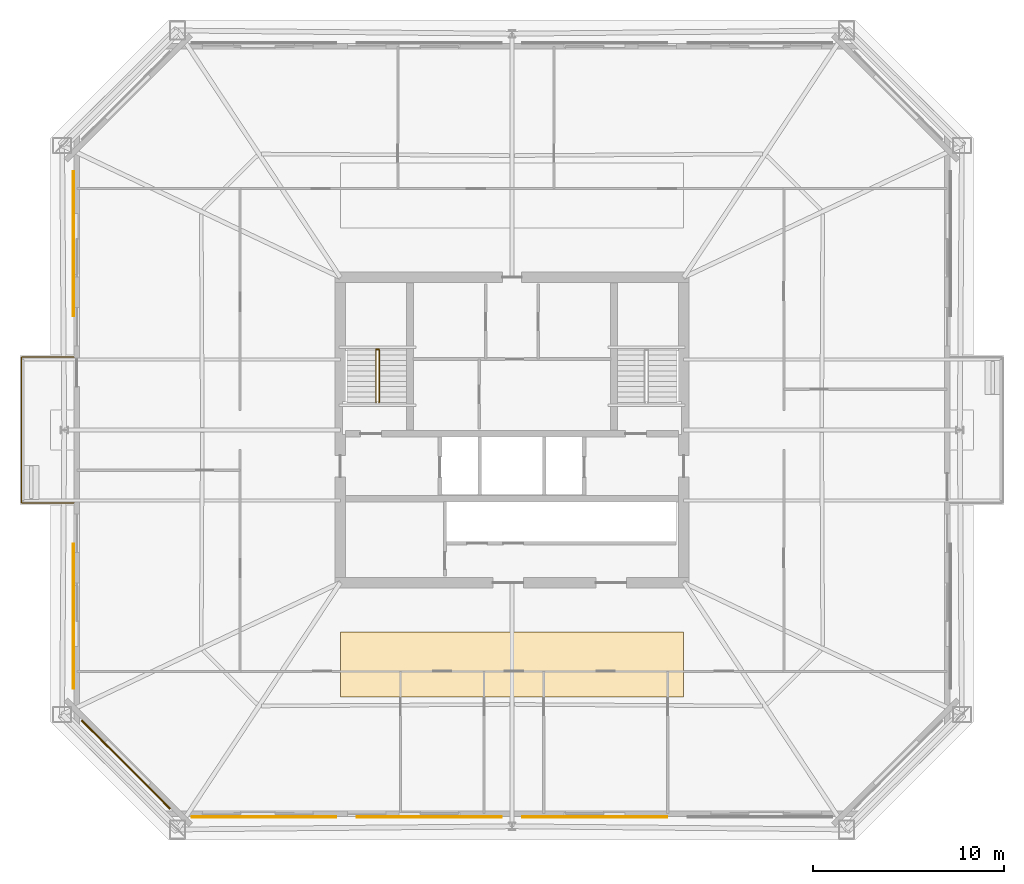
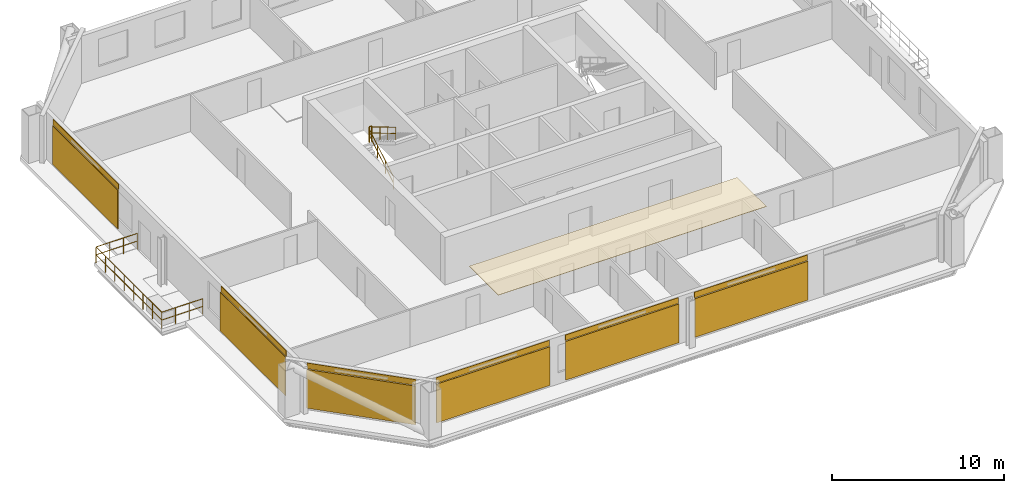
# One storey, part 6 of 8: 7 coverings, 6 shading devices, 4 railings.
"""IFC4 building model written with IfcOpenShell, lengths in metres."""

from ifc_helpers import new_model, si_unit, direction, frame, origin, origin_2d, place, context, subcontext, project, spatial, polyline, rectangle, circle, outline, extrude, material, layer, layer_set, type_object, element, save


model = new_model("IFC4")

# Units and contexts
model_context = context("Model", 3, precision=1e-05, world=origin(), true_north=direction((0.0, 1.0)))
body_context = subcontext(model_context, "Body", "Model", "MODEL_VIEW")
ifc_project = project(units=[si_unit("LENGTHUNIT", "METRE"), si_unit("AREAUNIT", "SQUARE_METRE"), si_unit("VOLUMEUNIT", "CUBIC_METRE"), si_unit("PLANEANGLEUNIT", "RADIAN"), si_unit("MASSUNIT", "GRAM", prefix="KILO")], contexts=[model_context])

# Site, building, storey
site_placement = place(None, origin())
site = spatial("IfcSite", under=ifc_project, at=site_placement, CompositionType="ELEMENT")
building_placement = place(site_placement, origin())
building = spatial("IfcBuilding", under=site, at=building_placement, Name="Caelvoria Tower", CompositionType="ELEMENT")
storey_placement = place(building_placement, frame((0.0, 0.0, 142.0)))
storey = spatial("IfcBuildingStorey", under=building, at=storey_placement, Name="L37", CompositionType="ELEMENT", Elevation=142.0)

# Railing
ifc_material_1 = material(Name="Bronze Anodised Aluminium and Stainless Steel", Category="steel")
railing_type_1 = type_object("IfcRailingType", Name="Exterior Terrace and Balcony Guardrail 1150", PredefinedType="GUARDRAIL", material=ifc_material_1)
railing_1_placement = place(storey_placement, frame((23.0400390625, 28.179931640625, 0.0)))
element("IfcRailing", 1, at=railing_1_placement, inside=storey, type_object=railing_type_1, Name="Tree Balcony Guardrail TB-L37-W", PredefinedType="GUARDRAIL", context=body_context, shape_type="SweptSolid", body=[
    extrude(circle(Radius=0.02392578125, at=origin_2d()), frame((0.0, 0.0, 1.1259765625), z_axis=(-1.0, 0.0, 0.0), x_axis=(0.0, -1.0, 0.0)), (0.0, 0.0, 1.0), 2.760009765625),
    extrude(circle(Radius=0.02392578125, at=origin_2d()), frame((0.0, 0.0, 0.574951171875), z_axis=(-1.0, 0.0, 0.0), x_axis=(0.0, -1.0, 0.0)), (0.0, 0.0, 1.0), 2.760009765625),
    extrude(circle(Radius=0.02392578125, at=origin_2d()), frame((-2.760009765625, 0.0, 1.1259765625), z_axis=(0.0, 1.0, 0.0), x_axis=(-1.0, 0.0, 0.0)), (0.0, 0.0, 1.0), 7.64013671875),
    extrude(circle(Radius=0.02392578125, at=origin_2d()), frame((-2.760009765625, 0.0, 0.574951171875), z_axis=(0.0, 1.0, 0.0), x_axis=(-1.0, 0.0, 0.0)), (0.0, 0.0, 1.0), 7.64013671875),
    extrude(circle(Radius=0.02392578125, at=origin_2d()), frame((-2.760009765625, 7.64013671875, 1.1259765625), z_axis=(1.0, 0.0, 0.0), x_axis=(0.0, 1.0, 0.0)), (0.0, 0.0, 1.0), 2.760009765625),
    extrude(circle(Radius=0.02392578125, at=origin_2d()), frame((-2.760009765625, 7.64013671875, 0.574951171875), z_axis=(1.0, 0.0, 0.0), x_axis=(0.0, 1.0, 0.0)), (0.0, 0.0, 1.0), 2.760009765625),
    extrude(circle(Radius=0.02099609375, at=origin_2d()), origin(), (0.0, 0.0, 1.0), 1.101806640625),
    extrude(circle(Radius=0.02099609375, at=origin_2d()), frame((-0.919921875, 0.0, 0.0)), (0.0, 0.0, 1.0), 1.101806640625),
    extrude(circle(Radius=0.02099609375, at=origin_2d()), frame((-1.840087890625, 0.0, 0.0)), (0.0, 0.0, 1.0), 1.101806640625),
    extrude(circle(Radius=0.02099609375, at=origin_2d()), frame((-2.760009765625, 0.0, 0.0)), (0.0, 0.0, 1.0), 1.101806640625),
    extrude(circle(Radius=0.02099609375, at=origin_2d()), frame((-2.760009765625, 1.091552734375, 0.0)), (0.0, 0.0, 1.0), 1.101806640625),
    extrude(circle(Radius=0.02099609375, at=origin_2d()), frame((-2.760009765625, 2.182861328125, 0.0)), (0.0, 0.0, 1.0), 1.101806640625),
    extrude(circle(Radius=0.02099609375, at=origin_2d()), frame((-2.760009765625, 3.2744140625, 0.0)), (0.0, 0.0, 1.0), 1.101806640625),
    extrude(circle(Radius=0.02099609375, at=origin_2d()), frame((-2.760009765625, 4.36572265625, 0.0)), (0.0, 0.0, 1.0), 1.101806640625),
    extrude(circle(Radius=0.02099609375, at=origin_2d()), frame((-2.760009765625, 5.457275390625, 0.0)), (0.0, 0.0, 1.0), 1.101806640625),
    extrude(circle(Radius=0.02099609375, at=origin_2d()), frame((-2.760009765625, 6.548583984375, 0.0)), (0.0, 0.0, 1.0), 1.101806640625),
    extrude(circle(Radius=0.02099609375, at=origin_2d()), frame((-2.760009765625, 7.64013671875, 0.0)), (0.0, 0.0, 1.0), 1.101806640625),
    extrude(circle(Radius=0.02099609375, at=origin_2d()), frame((-1.840087890625, 7.64013671875, 0.0)), (0.0, 0.0, 1.0), 1.101806640625),
    extrude(circle(Radius=0.02099609375, at=origin_2d()), frame((-0.919921875, 7.64013671875, 0.0)), (0.0, 0.0, 1.0), 1.101806640625),
    extrude(circle(Radius=0.02099609375, at=origin_2d()), frame((0.0, 7.64013671875, 0.0)), (0.0, 0.0, 1.0), 1.101806640625),
])

# Coverings
ifc_material_2 = material(Name="Acoustic Mineral Fibre Tile", Category="gypsum")
ifc_layer_1 = layer(ifc_material_2, 0.02490234375, Name="Acoustic Mineral Fibre Tile")
ifc_layer_set_1 = layer_set([ifc_layer_1], Name="Mineral-Fibre Acoustic Suspended Ceiling 25 - Acoustic Mineral Fibre Tile")
covering_type_1 = type_object("IfcCoveringType", Name="Mineral-Fibre Acoustic Suspended Ceiling 25", PredefinedType="CEILING", material=ifc_layer_set_1)
covering_1_placement = place(storey_placement, frame((0.0, 0.0, 2.635009765625)))
element("IfcCovering", 2, at=covering_1_placement, inside=storey, type_object=covering_type_1, Name="Suspended Acoustic Ceiling L37", PredefinedType="CEILING", context=body_context, shape_type="SweptSolid", body=[
    extrude(outline(polyline([(37.0, 18.0), (55.0, 18.0), (55.0, 21.39990234375), (37.0, 21.39990234375), (37.0, 18.0)])), origin(), (0.0, 0.0, 1.0), 0.02490234375),
])
ifc_material_3 = material(Name="Perforated Architectural Bronze Cladding Screen", Category="bronze")
ifc_layer_2 = layer(ifc_material_3, 0.0400390625, Name="Perforated Architectural Bronze Cladding Screen")
ifc_layer_set_2 = layer_set([ifc_layer_2], Name="Perforated Bronze Louvre Cladding Band 40 - Perforated Architectural Bronze Cladding Screen")
covering_type_2 = type_object("IfcCoveringType", Name="Perforated Bronze Louvre Cladding Band 40", PredefinedType="CLADDING", material=ifc_layer_set_2)
for number, where, z_axis, x_axis, name in (
    (3, (32.9951171875, 11.72802734375, 2.93994140625), (0.0, 0.0, 1.0), (1.0, 0.0, 0.0), "Perforated Bronze Screen Band L37-E0-00"),
    (4, (41.6650390625, 11.72802734375, 2.93994140625), (0.0, 0.0, 1.0), (1.0, 0.0, 0.0), "Perforated Bronze Screen Band L37-E0-01"),
    (5, (50.3349609375, 11.72802734375, 2.93994140625), (0.0, 0.0, 1.0), (1.0, 0.0, 0.0), "Perforated Bronze Screen Band L37-E0-02"),
    (6, (23.028076171875, 41.760009765625, 2.93994140625), (0.0, 0.0, 1.0), (0.0, -1.0, 0.0), "Perforated Bronze Screen Band L37-E6-00"),
    (7, (23.028076171875, 22.239990234375, 2.93994140625), (0.0, 0.0, 1.0), (0.0, -1.0, 0.0), "Perforated Bronze Screen Band L37-E6-02"),
):
    element("IfcCovering", number, at=place(storey_placement, frame(where, z_axis=z_axis, x_axis=x_axis)), inside=storey, type_object=covering_type_2, Name=name, PredefinedType="CLADDING", context=body_context, shape_type="SweptSolid", body=[
        extrude(rectangle(XDim=7.60009765625, YDim=0.0400390625, at=origin_2d()), origin(), (0.0, 0.0, 1.0), 0.39990234375),
    ])
covering_2_placement = place(storey_placement, frame((25.768310546875, 14.46826171875, 2.93994140625), z_axis=(0.0, 0.0, 1.0), x_axis=(0.707106781187, -0.707106781187, 0.0)))
element("IfcCovering", 8, at=covering_2_placement, inside=storey, type_object=covering_type_2, Name="Perforated Bronze Screen Band L37-E7-00", PredefinedType="CLADDING", context=body_context, shape_type="SweptSolid", body=[
    extrude(rectangle(XDim=6.55419921875, YDim=0.0400390625, at=origin_2d()), origin(), (0.0, 0.0, 1.0), 0.39990234375),
])

# Shading devices
ifc_material_4 = material(Name="Perforated Architectural Bronze Alloy Panel", Category="bronze")
ifc_layer_3 = layer(ifc_material_4, 0.044921875, Name="Perforated Architectural Bronze Alloy Panel")
ifc_layer_set_3 = layer_set([ifc_layer_3], Name="Perforated Bronze Solar Screen Panel SCREEN - Perforated Architectural Bronze Alloy Panel")
shading_device_type = type_object("IfcShadingDeviceType", Name="Perforated Bronze Solar Screen Panel SCREEN", PredefinedType="USERDEFINED", material=ifc_layer_set_3)
for number, where, z_axis, x_axis, name in (
    (9, (32.9951171875, 11.68505859375, 0.159912109375), (0.0, 0.0, 1.0), (1.0, 0.0, 0.0), "Perforated Bronze Solar Screen L37-E0-00"),
    (10, (41.6650390625, 11.68505859375, 0.159912109375), (0.0, 0.0, 1.0), (1.0, 0.0, 0.0), "Perforated Bronze Solar Screen L37-E0-01"),
    (11, (50.3349609375, 11.68505859375, 0.159912109375), (0.0, 0.0, 1.0), (1.0, 0.0, 0.0), "Perforated Bronze Solar Screen L37-E0-02"),
    (12, (22.985107421875, 41.760009765625, 0.159912109375), (0.0, 0.0, 1.0), (0.0, -1.0, 0.0), "Perforated Bronze Solar Screen L37-E6-00"),
    (13, (22.985107421875, 22.239990234375, 0.159912109375), (0.0, 0.0, 1.0), (0.0, -1.0, 0.0), "Perforated Bronze Solar Screen L37-E6-02"),
):
    element("IfcShadingDevice", number, at=place(storey_placement, frame(where, z_axis=z_axis, x_axis=x_axis)), inside=storey, type_object=shading_device_type, Name=name, ObjectType="SCREEN", PredefinedType="USERDEFINED", context=body_context, shape_type="SweptSolid", body=[
        extrude(rectangle(XDim=7.60009765625, YDim=0.044921875, at=origin_2d()), origin(), (0.0, 0.0, 1.0), 2.75),
    ])
shading_device_placement = place(storey_placement, frame((25.73779296875, 14.43798828125, 0.159912109375), z_axis=(0.0, 0.0, 1.0), x_axis=(0.707106781187, -0.707106781187, 0.0)))
element("IfcShadingDevice", 14, at=shading_device_placement, inside=storey, type_object=shading_device_type, Name="Perforated Bronze Solar Screen L37-E7-00", ObjectType="SCREEN", PredefinedType="USERDEFINED", context=body_context, shape_type="SweptSolid", body=[
    extrude(rectangle(XDim=6.55419921875, YDim=0.044921875, at=origin_2d()), origin(), (0.0, 0.0, 1.0), 2.75),
])

# Railings
ifc_material_5 = material(Name="Brushed Stainless Steel Tube", Category="steel")
railing_type_2 = type_object("IfcRailingType", Name="Stair Tubular Stainless Handrail 920", PredefinedType="HANDRAIL", material=ifc_material_5)
railing_2_placement = place(storey_placement, frame((38.8701171875, 33.449951171875, 0.16357421875)))
element("IfcRailing", 15, at=railing_2_placement, inside=storey, type_object=railing_type_2, Name="ST-01 Flight 1 Handrail L37", PredefinedType="HANDRAIL", context=body_context, shape_type="SweptSolid", body=[
    extrude(circle(Radius=0.02392578125, at=origin_2d()), frame((0.0, 0.0, 0.89599609375), z_axis=(0.0, 0.859351957796, 0.511384603436), x_axis=(-1.0, 0.0, 0.0)), (0.0, 0.0, 1.0), 3.2001953125),
    extrude(circle(Radius=0.02392578125, at=origin_2d()), frame((0.0, 0.0, 0.4599609375), z_axis=(0.0, 0.859351957796, 0.511384603436), x_axis=(-1.0, 0.0, 0.0)), (0.0, 0.0, 1.0), 3.2001953125),
    extrude(circle(Radius=0.02099609375, at=origin_2d()), origin(), (0.0, 0.0, 1.0), 0.871826171875),
    extrude(circle(Radius=0.02099609375, at=origin_2d()), frame((0.0, 0.916748046875, 0.54541015625)), (0.0, 0.0, 1.0), 0.871826171875),
    extrude(circle(Radius=0.02099609375, at=origin_2d()), frame((0.0, 1.833251953125, 1.091064453125)), (0.0, 0.0, 1.0), 0.871826171875),
    extrude(circle(Radius=0.02099609375, at=origin_2d()), frame((0.0, 2.75, 1.636474609375)), (0.0, 0.0, 1.0), 0.871826171875),
])
railing_3_placement = place(storey_placement, frame((39.030029296875, 36.199951171875, 1.963623046875)))
element("IfcRailing", 16, at=railing_3_placement, inside=storey, type_object=railing_type_2, Name="ST-01 Flight 2 Handrail L37", PredefinedType="HANDRAIL", context=body_context, shape_type="SweptSolid", body=[
    extrude(circle(Radius=0.02392578125, at=origin_2d()), frame((0.0, 0.0, 0.89599609375), z_axis=(0.0, -0.859351957796, 0.511384603436), x_axis=(1.0, 0.0, 0.0)), (0.0, 0.0, 1.0), 3.2001953125),
    extrude(circle(Radius=0.02392578125, at=origin_2d()), frame((0.0, 0.0, 0.4599609375), z_axis=(0.0, -0.859351957796, 0.511384603436), x_axis=(1.0, 0.0, 0.0)), (0.0, 0.0, 1.0), 3.2001953125),
    extrude(circle(Radius=0.02099609375, at=origin_2d()), origin(), (0.0, 0.0, 1.0), 0.871826171875),
    extrude(circle(Radius=0.02099609375, at=origin_2d()), frame((0.0, -0.916748046875, 0.54541015625)), (0.0, 0.0, 1.0), 0.871826171875),
    extrude(circle(Radius=0.02099609375, at=origin_2d()), frame((0.0, -1.833251953125, 1.091064453125)), (0.0, 0.0, 1.0), 0.871826171875),
    extrude(circle(Radius=0.02099609375, at=origin_2d()), frame((0.0, -2.75, 1.636474609375)), (0.0, 0.0, 1.0), 0.871826171875),
])
ifc_material_6 = material(Name="Brushed Stainless Steel Guardrail", Category="steel")
railing_type_3 = type_object("IfcRailingType", Name="Stair Well and Ramp Guardrail 1120", PredefinedType="GUARDRAIL", material=ifc_material_6)
railing_4_placement = place(storey_placement, frame((38.8701171875, 36.239990234375, 1.800048828125)))
element("IfcRailing", 17, at=railing_4_placement, inside=storey, type_object=railing_type_3, Name="ST-01 Half-Landing Well Guard L37", PredefinedType="GUARDRAIL", context=body_context, shape_type="SweptSolid", body=[
    extrude(circle(Radius=0.02392578125, at=origin_2d()), frame((0.0, 0.0, 1.09619140625), z_axis=(1.0, 0.0, 0.0), x_axis=(0.0, 1.0, 0.0)), (0.0, 0.0, 1.0), 0.159912109375),
    extrude(circle(Radius=0.02392578125, at=origin_2d()), frame((0.0, 0.0, 0.56005859375), z_axis=(1.0, 0.0, 0.0), x_axis=(0.0, 1.0, 0.0)), (0.0, 0.0, 1.0), 0.159912109375),
    extrude(circle(Radius=0.02099609375, at=origin_2d()), origin(), (0.0, 0.0, 1.0), 1.072021484375),
    extrude(circle(Radius=0.02099609375, at=origin_2d()), frame((0.159912109375, 0.0, 0.0)), (0.0, 0.0, 1.0), 1.072021484375),
])

save(model, "model.ifc")
